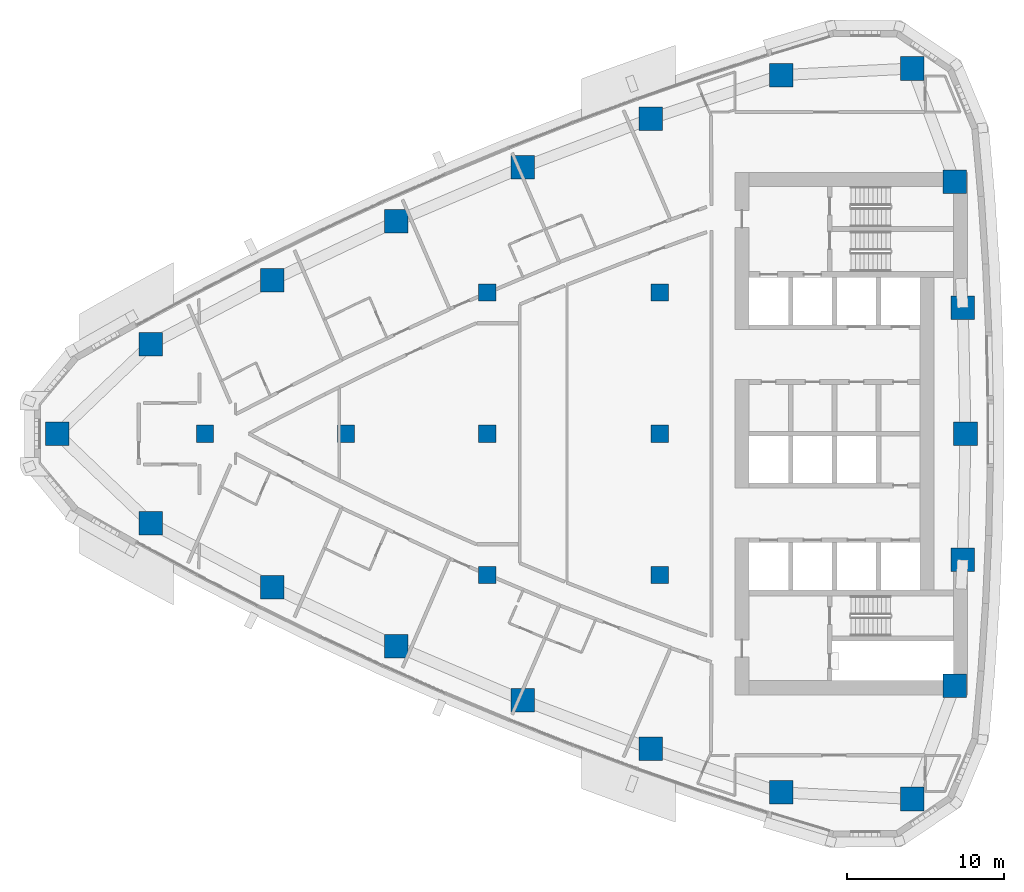
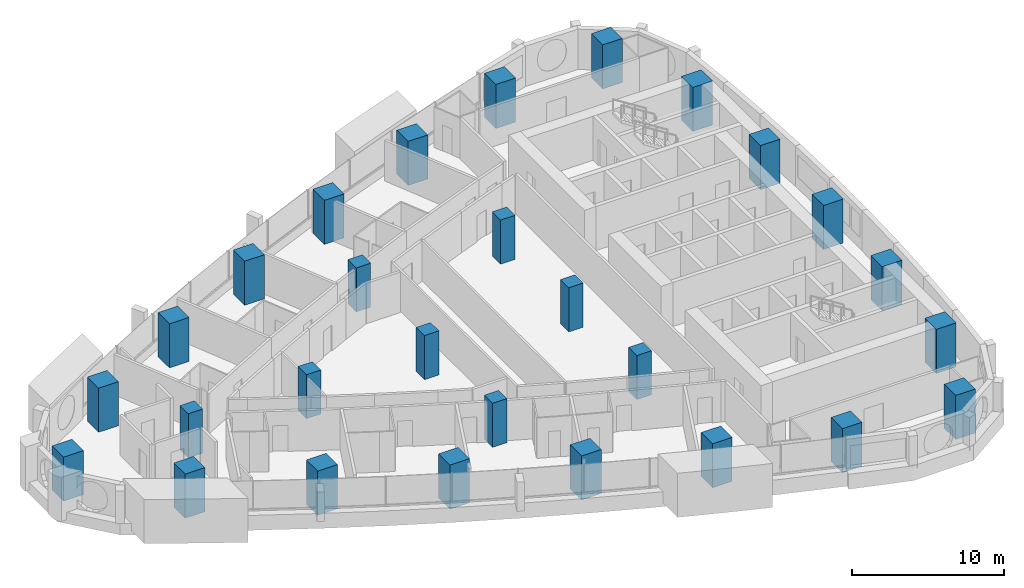
# One storey, part 1 of 17: 28 columns.
"""IFC4 building model written with IfcOpenShell, lengths in metres."""

from ifc_helpers import new_model, si_unit, direction, frame, origin, origin_2d, place, context, subcontext, project, spatial, rectangle, extrude, material, material_profile, profile_set, type_object, element, save


model = new_model("IFC4")

# Units and contexts
model_context = context("Model", 3, precision=1e-05, world=origin(), true_north=direction((0.0, 1.0)))
body_context = subcontext(model_context, "Body", "Model", "MODEL_VIEW")
ifc_project = project(units=[si_unit("LENGTHUNIT", "METRE"), si_unit("AREAUNIT", "SQUARE_METRE"), si_unit("VOLUMEUNIT", "CUBIC_METRE"), si_unit("PLANEANGLEUNIT", "RADIAN"), si_unit("MASSUNIT", "GRAM", prefix="KILO")], contexts=[model_context])

# Site, building, storey
site_placement = place(None, origin())
site = spatial("IfcSite", under=ifc_project, at=site_placement, CompositionType="ELEMENT")
building_placement = place(site_placement, origin())
building = spatial("IfcBuilding", under=site, at=building_placement, Name="Ostrand Prow Hotel Tower", CompositionType="ELEMENT")
storey_placement = place(building_placement, frame((0.0, 0.0, 158.60009765625)))
storey = spatial("IfcBuildingStorey", under=building, at=storey_placement, Name="L39", CompositionType="ELEMENT", Elevation=158.60009765625)

# Columns
ifc_material_1 = material(Name="Concrete C70/85", Category="concrete")
ifc_material_profile_1 = material_profile(ifc_material_1, rectangle(XDim=1.10009765625, YDim=1.10009765625, at=origin_2d()), Name="RC 1100x1100")
ifc_profile_set_1 = profile_set([ifc_material_profile_1], Name="Concrete C70/85")
column_type_1 = type_object("IfcColumnType", Name="Interior column 1100x1100 C70/85", PredefinedType="COLUMN", material=ifc_profile_set_1)
for number, where, z_axis, x_axis, name in (
    (1, (16.0, 0.0, 0.0), (0.0, 0.0, 1.0), (1.0, 0.0, 0.0), "Interior column 16C0"),
    (2, (25.0, 0.0, 0.0), (0.0, 0.0, 1.0), (1.0, 0.0, 0.0), "Interior column 25C0"),
    (3, (34.0, -9.0, 0.0), (0.0, 0.0, 1.0), (1.0, 0.0, 0.0), "Interior column 34S9"),
    (4, (34.0, 0.0, 0.0), (0.0, 0.0, 1.0), (1.0, 0.0, 0.0), "Interior column 34C0"),
    (5, (34.0, 9.0, 0.0), (0.0, 0.0, 1.0), (1.0, 0.0, 0.0), "Interior column 34N9"),
    (6, (45.0, -9.0, 0.0), (0.0, 0.0, 1.0), (1.0, 0.0, 0.0), "Interior column 45S9"),
    (7, (45.0, 0.0, 0.0), (0.0, 0.0, 1.0), (1.0, 0.0, 0.0), "Interior column 45C0"),
    (8, (45.0, 9.0, 0.0), (0.0, 0.0, 1.0), (1.0, 0.0, 0.0), "Interior column 45N9"),
):
    element("IfcColumn", number, at=place(storey_placement, frame(where, z_axis=z_axis, x_axis=x_axis)), inside=storey, type_object=column_type_1, Name=name, PredefinedType="COLUMN", context=body_context, shape_type="SweptSolid", body=[
        extrude(rectangle(XDim=1.10009765625, YDim=1.10009765625, at=origin_2d()), origin(), (0.0, 0.0, 1.0), 3.5498046875),
    ])
ifc_material_2 = material(Name="Concrete C70/85", Category="concrete")
ifc_material_profile_2 = material_profile(ifc_material_2, rectangle(XDim=1.5, YDim=1.5, at=origin_2d()), Name="RC 1500x1500")
ifc_profile_set_2 = profile_set([ifc_material_profile_2], Name="Concrete C70/85")
column_type_2 = type_object("IfcColumnType", Name="Stone-faced mega column 1500x1500 C70/85", PredefinedType="COLUMN", material=ifc_profile_set_2)
for number, where, z_axis, x_axis, name in (
    (9, (6.580078125, 0.0, 0.0), (0.0, 0.0, 1.0), (1.0, 0.0, 0.0), "Mega column P"),
    (10, (12.55322265625, -5.712646484375, 0.0), (0.0, 0.0, 1.0), (1.0, 0.0, 0.0), "Mega column S1"),
    (11, (20.300048828125, -9.787841796875, 0.0), (0.0, 0.0, 1.0), (1.0, 0.0, 0.0), "Mega column S2"),
    (12, (28.205078125, -13.547119140625, 0.0), (0.0, 0.0, 1.0), (1.0, 0.0, 0.0), "Mega column S3"),
    (13, (36.255615234375, -16.98388671875, 0.0), (0.0, 0.0, 1.0), (1.0, 0.0, 0.0), "Mega column S4"),
    (14, (44.438232421875, -20.093017578125, 0.0), (0.0, 0.0, 1.0), (1.0, 0.0, 0.0), "Mega column S5"),
    (15, (52.73974609375, -22.869140625, 0.0), (0.0, 0.0, 1.0), (1.0, 0.0, 0.0), "Mega column S6"),
    (16, (61.117431640625, -23.29052734375, 0.0), (0.0, 0.0, 1.0), (1.0, 0.0, 0.0), "Mega column SE"),
    (17, (63.818603515625, -16.074951171875, 0.0), (0.0, 0.0, 1.0), (1.0, 0.0, 0.0), "Mega column B1"),
    (18, (64.32958984375, -8.044677734375, 0.0), (0.0, 0.0, 1.0), (1.0, 0.0, 0.0), "Mega column B2"),
    (19, (64.5, 0.0, 0.0), (0.0, 0.0, 1.0), (1.0, 0.0, 0.0), "Mega column B3"),
    (20, (64.32958984375, 8.044677734375, 0.0), (0.0, 0.0, 1.0), (1.0, 0.0, 0.0), "Mega column B4"),
    (21, (63.818603515625, 16.074951171875, 0.0), (0.0, 0.0, 1.0), (1.0, 0.0, 0.0), "Mega column B5"),
    (22, (61.117431640625, 23.29052734375, 0.0), (0.0, 0.0, 1.0), (1.0, 0.0, 0.0), "Mega column NE"),
    (23, (52.73974609375, 22.869140625, 0.0), (0.0, 0.0, 1.0), (1.0, 0.0, 0.0), "Mega column N1"),
    (24, (44.438232421875, 20.093017578125, 0.0), (0.0, 0.0, 1.0), (1.0, 0.0, 0.0), "Mega column N2"),
    (25, (36.255615234375, 16.98388671875, 0.0), (0.0, 0.0, 1.0), (1.0, 0.0, 0.0), "Mega column N3"),
    (26, (28.205078125, 13.547119140625, 0.0), (0.0, 0.0, 1.0), (1.0, 0.0, 0.0), "Mega column N4"),
    (27, (20.300048828125, 9.787841796875, 0.0), (0.0, 0.0, 1.0), (1.0, 0.0, 0.0), "Mega column N5"),
    (28, (12.55322265625, 5.712646484375, 0.0), (0.0, 0.0, 1.0), (1.0, 0.0, 0.0), "Mega column N6"),
):
    element("IfcColumn", number, at=place(storey_placement, frame(where, z_axis=z_axis, x_axis=x_axis)), inside=storey, type_object=column_type_2, Name=name, PredefinedType="COLUMN", context=body_context, shape_type="SweptSolid", body=[
        extrude(rectangle(XDim=1.5, YDim=1.5, at=origin_2d()), origin(), (0.0, 0.0, 1.0), 3.5498046875),
    ])

save(model, "model.ifc")
